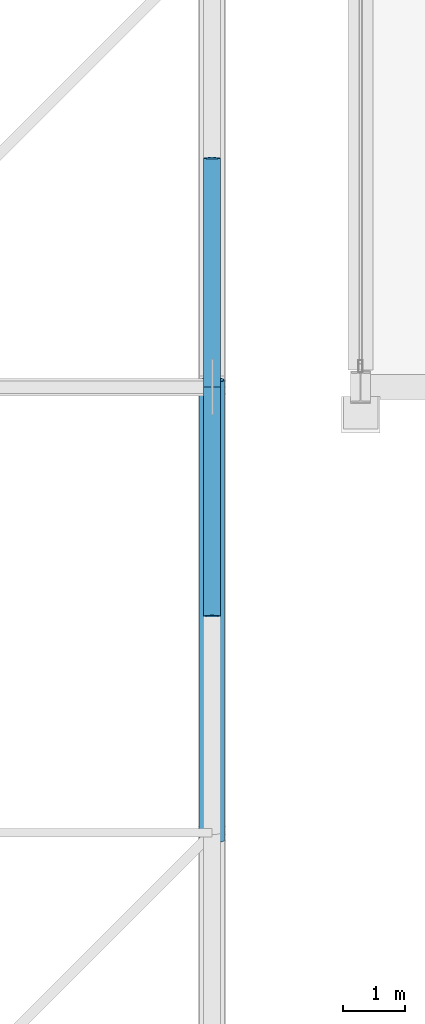
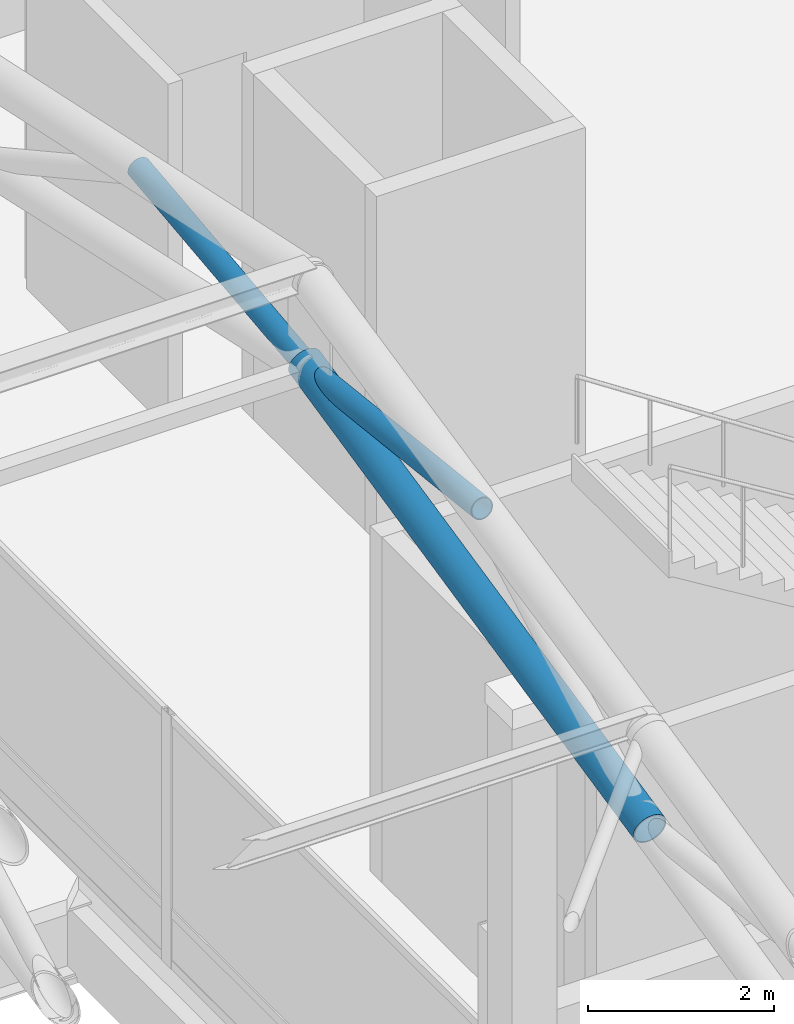
# One storey, part 48 of 193: 3 members.
"""IFC4 building model written with IfcOpenShell, lengths in metres."""

from ifc_helpers import new_model, si_unit, direction, frame, origin, origin_2d, place, context, subcontext, project, spatial, hollow_circle, extrude, material, material_profile, profile_set, type_object, element, save


model = new_model("IFC4")

# Units and contexts
model_context = context("Model", 3, precision=1e-05, world=origin(), true_north=direction((0.0, 1.0)))
body_context = subcontext(model_context, "Body", "Model", "MODEL_VIEW")
ifc_project = project(units=[si_unit("LENGTHUNIT", "METRE"), si_unit("AREAUNIT", "SQUARE_METRE"), si_unit("VOLUMEUNIT", "CUBIC_METRE"), si_unit("PLANEANGLEUNIT", "RADIAN"), si_unit("MASSUNIT", "GRAM", prefix="KILO")], contexts=[model_context])

# Site, building, storey
site_placement = place(None, origin())
site = spatial("IfcSite", under=ifc_project, at=site_placement, CompositionType="ELEMENT")
building_placement = place(site_placement, origin())
building = spatial("IfcBuilding", under=site, at=building_placement, Name="Cendralis Lancet Convention Centre", CompositionType="ELEMENT")
storey_placement = place(building_placement, frame((0.0, 0.0, 10.199951171875)))
storey = spatial("IfcBuildingStorey", under=building, at=storey_placement, Name="L02", CompositionType="ELEMENT", Elevation=10.199951171875)

# Members
ifc_material = material(Name="Steel S355", Category="steel")
ifc_material_profile_1 = material_profile(ifc_material, hollow_circle(Radius=0.203125, WallThickness=0.01611328125, at=origin_2d()), Name="CHS 406.4x16.0")
ifc_profile_set_1 = profile_set([ifc_material_profile_1], Name="Steel S355")
member_type_1 = type_object("IfcMemberType", Name="STR-TR-BC01", PredefinedType="CHORD", material=ifc_profile_set_1)
member_placement = place(storey_placement, frame((122.39990234375, 86.28271484375, 11.421142578125), z_axis=(0.0, 0.976835518251, 0.213991519186), x_axis=(-1.0, 0.0, 0.0)))
element("IfcMember", 1, at=member_placement, inside=storey, type_object=member_type_1, Name="ROOF TRUSS AT-V1-15 Bottom Chord 05", PredefinedType="CHORD", context=body_context, shape_type="SweptSolid", body=[
    extrude(hollow_circle(Radius=0.203125, WallThickness=0.01611328125, at=origin_2d()), origin(), (0.0, 0.0, 1.0), 7.61083984375),
])
ifc_material_profile_2 = material_profile(ifc_material, hollow_circle(Radius=0.136474609375, WallThickness=0.012451171875, at=origin_2d()), Name="CHS 273.0x12.5")
ifc_profile_set_2 = profile_set([ifc_material_profile_2], Name="Steel S355")
member_type_2 = type_object("IfcMemberType", Name="STR-TR-WD01B", PredefinedType="BRACE", material=ifc_profile_set_2)
for number, where, z_axis, x_axis, name in (
    (2, (122.39990234375, 89.900634765625, 13.441162109375), (0.0, 0.993706459911, -0.112015496831), (-1.0, 0.0, 0.0), "ROOF TRUSS AT-V1-15 Warren Web 05-1"),
    (3, (122.39990234375, 93.50048828125, 13.012939453125), (0.0, 0.993706459911, 0.112015496831), (-1.0, 0.0, 0.0), "ROOF TRUSS AT-V1-15 Warren Web 06-0"),
):
    element("IfcMember", number, at=place(storey_placement, frame(where, z_axis=z_axis, x_axis=x_axis)), inside=storey, type_object=member_type_2, Name=name, PredefinedType="BRACE", context=body_context, shape_type="SweptSolid", body=[
        extrude(hollow_circle(Radius=0.136474609375, WallThickness=0.012451171875, at=origin_2d()), origin(), (0.0, 0.0, 1.0), 3.822998046875),
    ])

save(model, "model.ifc")
